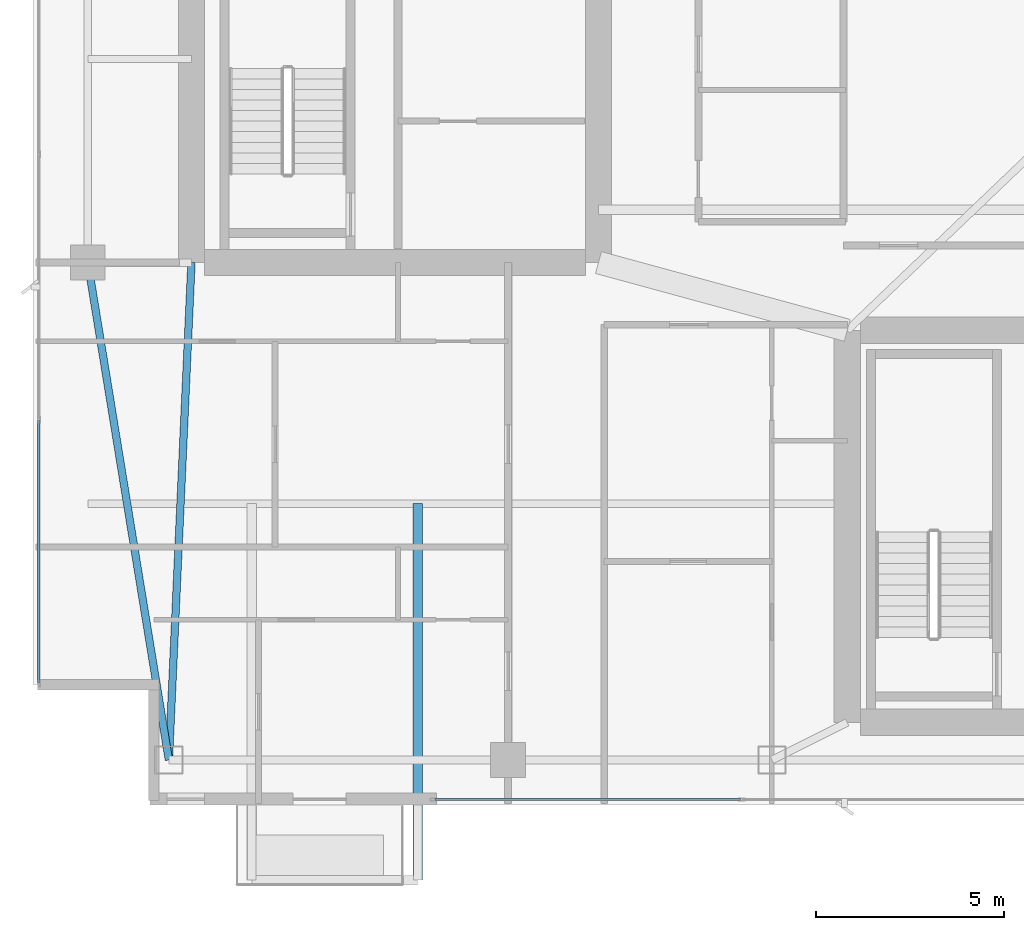
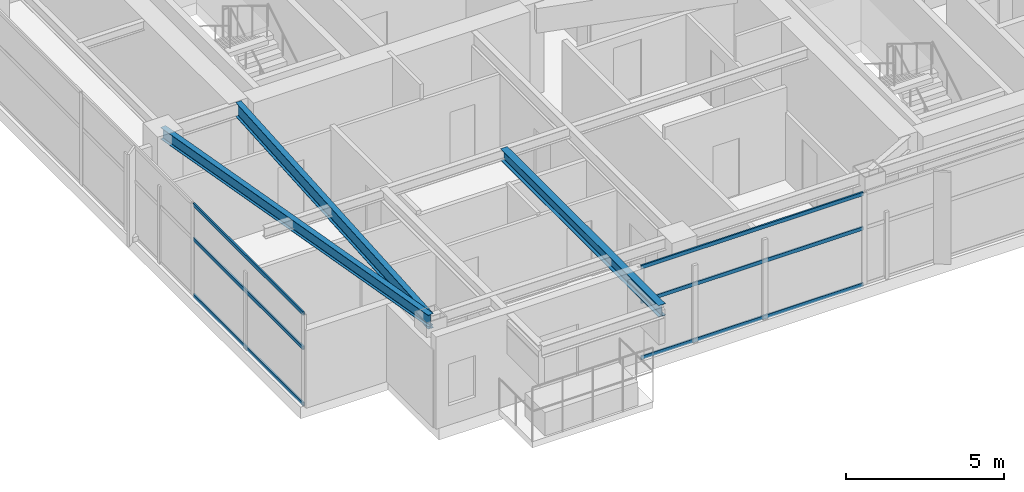
# One storey, part 3 of 28: 6 members, 3 beams, 2 elements without a shape of their own.
"""IFC4 building model written with IfcOpenShell, lengths in metres."""

from ifc_helpers import new_model, si_unit, direction, frame, origin, origin_2d, place, context, subcontext, project, spatial, hollow_rectangle, i_section, extrude, material, layer, layer_set, material_profile, profile_set, type_object, element, aggregate, save


model = new_model("IFC4")

# Units and contexts
model_context = context("Model", 3, precision=1e-05, world=origin(), true_north=direction((0.0, 1.0)))
body_context = subcontext(model_context, "Body", "Model", "MODEL_VIEW")
ifc_project = project(units=[si_unit("LENGTHUNIT", "METRE"), si_unit("AREAUNIT", "SQUARE_METRE"), si_unit("VOLUMEUNIT", "CUBIC_METRE"), si_unit("PLANEANGLEUNIT", "RADIAN"), si_unit("MASSUNIT", "GRAM", prefix="KILO")], contexts=[model_context])

# Site, building, storey
site_placement = place(None, origin())
site = spatial("IfcSite", under=ifc_project, at=site_placement, CompositionType="ELEMENT")
building_placement = place(site_placement, origin())
building = spatial("IfcBuilding", under=site, at=building_placement, Name="Calvorn Quay Hotel", CompositionType="ELEMENT")
storey_placement = place(building_placement, frame((0.0, 0.0, 243.800048828125)))
storey = spatial("IfcBuildingStorey", under=building, at=storey_placement, Name="L60", CompositionType="ELEMENT", Elevation=243.800048828125)

# Beams
ifc_material_1 = material(Name="Steel Q355B", Category="steel")
ifc_material_profile_1 = material_profile(ifc_material_1, i_section(OverallWidth=0.25, OverallDepth=0.449951171875, WebThickness=0.011962890625, FlangeThickness=0.01611328125, FilletRadius=0.01611328125, at=origin_2d()), Name="HN450x250x12x16")
ifc_profile_set_1 = profile_set([ifc_material_profile_1], Name="Steel Q355B")
beam_type_1 = type_object("IfcBeamType", Name="BM-CANT-BALC", PredefinedType="BEAM", material=ifc_profile_set_1)
beam_1_placement = place(storey_placement, frame((10.199951171875, 10.39990234375, 3.31494140625), z_axis=(0.0, -1.0, 0.0), x_axis=(1.0, 0.0, 0.0)))
element("IfcBeam", 1, at=beam_1_placement, inside=storey, type_object=beam_type_1, Name="Cantilever Balcony Beam BCB-L61-2B", PredefinedType="BEAM", context=body_context, shape_type="SweptSolid", body=[
    extrude(i_section(OverallWidth=0.25, OverallDepth=0.449951171875, WebThickness=0.011962890625, FlangeThickness=0.01611328125, FilletRadius=0.01611328125, at=origin_2d()), origin(), (0.0, 0.0, 1.0), 9.989990234375),
])
ifc_material_2 = material(Name="Steel Q355B", Category="steel")
ifc_material_profile_2 = material_profile(ifc_material_2, i_section(OverallWidth=0.199951171875, OverallDepth=0.550048828125, WebThickness=0.010009765625, FlangeThickness=0.01611328125, FilletRadius=0.01806640625, at=origin_2d()), Name="HN550x200x10x16")
ifc_profile_set_2 = profile_set([ifc_material_profile_2], Name="Steel Q355B")
beam_type_2 = type_object("IfcBeamType", Name="BM-GIRD-UPP", PredefinedType="BEAM", material=ifc_profile_set_2)
beam_2_placement = place(storey_placement, frame((3.60009765625, 3.60009765625, 3.264892578125), z_axis=(0.045396765494, 0.998969035397, 0.0), x_axis=(-0.998969035397, 0.045396765494, 0.0)))
element("IfcBeam", 2, at=beam_2_placement, inside=storey, type_object=beam_type_2, Name="Beam BG-L60-W0", PredefinedType="BEAM", context=body_context, shape_type="SweptSolid", body=[
    extrude(i_section(OverallWidth=0.199951171875, OverallDepth=0.550048828125, WebThickness=0.010009765625, FlangeThickness=0.01611328125, FilletRadius=0.01806640625, at=origin_2d()), origin(), (0.0, 0.0, 1.0), 13.213623046875),
])
ifc_material_3 = material(Name="Steel Q355B", Category="steel")
ifc_material_profile_3 = material_profile(ifc_material_3, i_section(OverallWidth=0.199951171875, OverallDepth=0.449951171875, WebThickness=0.009033203125, FlangeThickness=0.013916015625, FilletRadius=0.01611328125, at=origin_2d()), Name="HN450x200x9x14")
ifc_profile_set_3 = profile_set([ifc_material_profile_3], Name="Steel Q355B")
beam_type_3 = type_object("IfcBeamType", Name="BM-SPANDREL-Z3", PredefinedType="SPANDREL", material=ifc_profile_set_3)
beam_3_placement = place(storey_placement, frame((3.60009765625, 3.60009765625, 3.31494140625), z_axis=(-0.16077155054, 0.986991645627, 0.0), x_axis=(-0.986991645627, -0.16077155054, 0.0)))
element("IfcBeam", 3, at=beam_3_placement, inside=storey, type_object=beam_type_3, Name="Beam BSP-L60-W1", PredefinedType="SPANDREL", context=body_context, shape_type="SweptSolid", body=[
    extrude(i_section(OverallWidth=0.199951171875, OverallDepth=0.449951171875, WebThickness=0.009033203125, FlangeThickness=0.013916015625, FilletRadius=0.01611328125, at=origin_2d()), origin(), (0.0, 0.0, 1.0), 13.3740234375),
])

# Curtain wall, members
ifc_material_4 = material(Name="Champagne Bronze Anodised Aluminium and Low-E Glass", Category="aluminium")
ifc_layer = layer(ifc_material_4, 0.219970703125)
ifc_layer_set = layer_set([ifc_layer], Name="CW-SYS-Z3")
curtain_wall_type = type_object("IfcCurtainWallType", Name="CW-SYS-Z3", PredefinedType="NOTDEFINED", material=ifc_layer_set)
curtain_wall_1_placement = place(storey_placement, origin())
curtain_wall_1 = element("IfcCurtainWall", 4, at=curtain_wall_1_placement, inside=storey, type_object=curtain_wall_type, Name="Tower West Curtain Wall (L60)", PredefinedType="NOTDEFINED")
ifc_material_5 = material(Name="Champagne Bronze Anodised Aluminium 6063-T6", Category="aluminium")
ifc_material_profile_4 = material_profile(ifc_material_5, hollow_rectangle(XDim=0.05810546875, YDim=0.139892578125, WallThickness=0.003173828125, at=origin_2d()), Name="ALU-T140x58x3.2")
ifc_profile_set_4 = profile_set([ifc_material_profile_4], Name="Champagne Bronze Anodised Aluminium 6063-T6")
member_type = type_object("IfcMemberType", Name="CW-SYS-Z3-TRN", PredefinedType="USERDEFINED", material=ifc_profile_set_4)
member_1_placement = place(storey_placement, frame((0.14990234375, 5.659912109375, 0.030029296875), z_axis=(0.0, 1.0, 0.0), x_axis=(-1.0, 0.0, 0.0)))
member_1 = element("IfcMember", 5, at=member_1_placement, type_object=member_type, Name="CW-L60-W transom 1.1", ObjectType="TRANSOM", PredefinedType="USERDEFINED", context=body_context, shape_type="SweptSolid", body=[
    extrude(hollow_rectangle(XDim=0.05810546875, YDim=0.139892578125, WallThickness=0.003173828125, at=origin_2d()), origin(), (0.0, 0.0, 1.0), 6.943359375),
])
member_2_placement = place(storey_placement, frame((0.14990234375, 5.659912109375, 2.199951171875), z_axis=(0.0, 1.0, 0.0), x_axis=(-1.0, 0.0, 0.0)))
member_2 = element("IfcMember", 6, at=member_2_placement, type_object=member_type, Name="CW-L60-W transom 1.2", ObjectType="TRANSOM", PredefinedType="USERDEFINED", context=body_context, shape_type="SweptSolid", body=[
    extrude(hollow_rectangle(XDim=0.05810546875, YDim=0.139892578125, WallThickness=0.003173828125, at=origin_2d()), origin(), (0.0, 0.0, 1.0), 6.943359375),
])
member_3_placement = place(storey_placement, frame((0.14990234375, 5.659912109375, 3.530029296875), z_axis=(0.0, 1.0, 0.0), x_axis=(-1.0, 0.0, 0.0)))
member_3 = element("IfcMember", 7, at=member_3_placement, type_object=member_type, Name="CW-L60-W transom 1.3", ObjectType="TRANSOM", PredefinedType="USERDEFINED", context=body_context, shape_type="SweptSolid", body=[
    extrude(hollow_rectangle(XDim=0.05810546875, YDim=0.139892578125, WallThickness=0.003173828125, at=origin_2d()), origin(), (0.0, 0.0, 1.0), 6.943359375),
])
aggregate(curtain_wall_1, [member_1, member_2, member_3])

curtain_wall_2_placement = place(storey_placement, origin())
curtain_wall_2 = element("IfcCurtainWall", 8, at=curtain_wall_2_placement, inside=storey, type_object=curtain_wall_type, Name="Tower South Waterfront Curtain Wall (L60)", PredefinedType="NOTDEFINED")
member_4_placement = place(storey_placement, frame((10.659912109375, 2.550048828125, 0.030029296875), z_axis=(1.0, 0.0, 0.0), x_axis=(0.0, 1.0, 0.0)))
member_4 = element("IfcMember", 9, at=member_4_placement, type_object=member_type, Name="CW-L60-S transom 1.1", ObjectType="TRANSOM", PredefinedType="USERDEFINED", context=body_context, shape_type="SweptSolid", body=[
    extrude(hollow_rectangle(XDim=0.05810546875, YDim=0.139892578125, WallThickness=0.003173828125, at=origin_2d()), origin(), (0.0, 0.0, 1.0), 8.110107421875),
])
member_5_placement = place(storey_placement, frame((10.659912109375, 2.550048828125, 2.199951171875), z_axis=(1.0, 0.0, 0.0), x_axis=(0.0, 1.0, 0.0)))
member_5 = element("IfcMember", 10, at=member_5_placement, type_object=member_type, Name="CW-L60-S transom 1.2", ObjectType="TRANSOM", PredefinedType="USERDEFINED", context=body_context, shape_type="SweptSolid", body=[
    extrude(hollow_rectangle(XDim=0.05810546875, YDim=0.139892578125, WallThickness=0.003173828125, at=origin_2d()), origin(), (0.0, 0.0, 1.0), 8.110107421875),
])
member_6_placement = place(storey_placement, frame((10.659912109375, 2.550048828125, 3.530029296875), z_axis=(1.0, 0.0, 0.0), x_axis=(0.0, 1.0, 0.0)))
member_6 = element("IfcMember", 11, at=member_6_placement, type_object=member_type, Name="CW-L60-S transom 1.3", ObjectType="TRANSOM", PredefinedType="USERDEFINED", context=body_context, shape_type="SweptSolid", body=[
    extrude(hollow_rectangle(XDim=0.05810546875, YDim=0.139892578125, WallThickness=0.003173828125, at=origin_2d()), origin(), (0.0, 0.0, 1.0), 8.110107421875),
])
aggregate(curtain_wall_2, [member_4, member_5, member_6])

save(model, "model.ifc")
